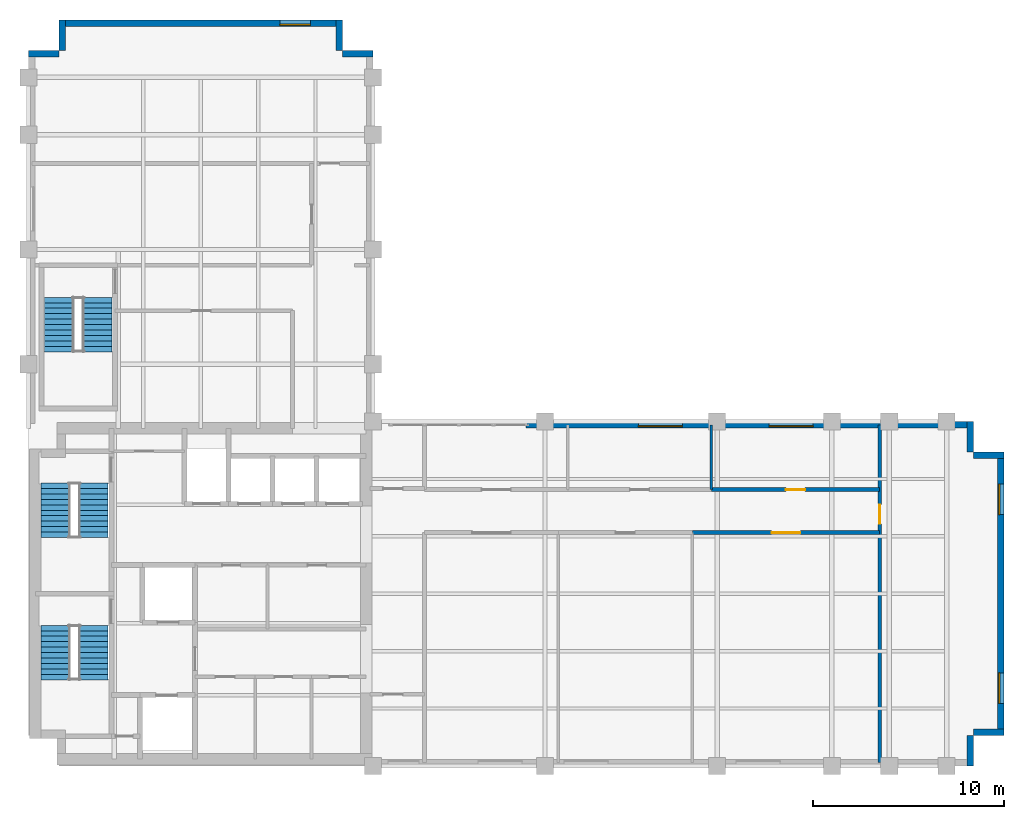
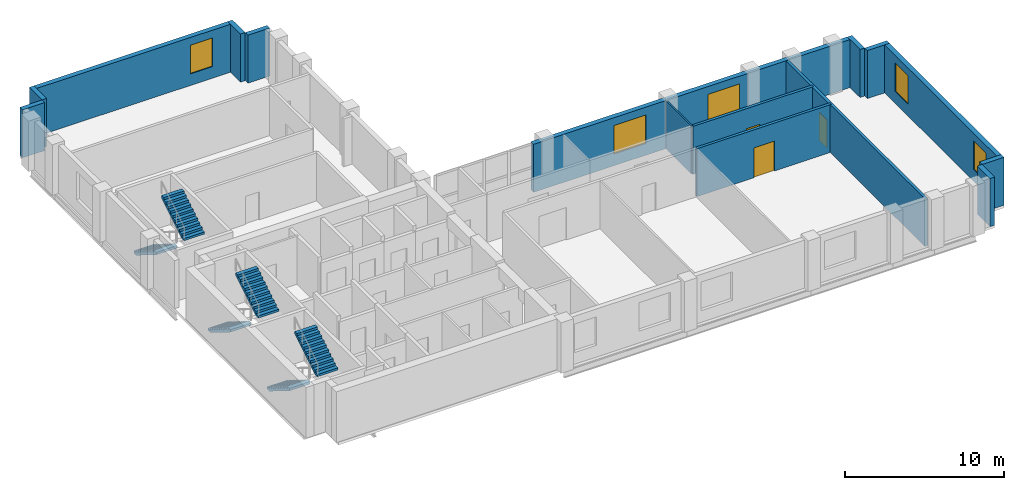
# One storey, part 6 of 7: 15 walls, 6 stair flights, 5 windows, 3 doors, 8 openings, 3 elements without a shape of their own.
"""IFC4 building model written with IfcOpenShell, lengths in metres."""

from ifc_helpers import new_model, si_unit, direction, frame, frame_2d, origin, place, context, subcontext, project, spatial, polyline, rectangle, outline, extrude, material, layer, layer_set, type_object, element, fill, aggregate, save


model = new_model("IFC4")

# Units and contexts
model_context = context("Model", 3, precision=1e-05, world=origin(), true_north=direction((0.0, 1.0)))
body_context = subcontext(model_context, "Body", "Model", "MODEL_VIEW")
ifc_project = project(units=[si_unit("LENGTHUNIT", "METRE"), si_unit("AREAUNIT", "SQUARE_METRE"), si_unit("VOLUMEUNIT", "CUBIC_METRE"), si_unit("PLANEANGLEUNIT", "RADIAN"), si_unit("MASSUNIT", "GRAM", prefix="KILO")], contexts=[model_context])

# Site, building, storey
site_placement = place(None, origin())
site = spatial("IfcSite", under=ifc_project, at=site_placement, CompositionType="ELEMENT")
building_placement = place(site_placement, origin())
building = spatial("IfcBuilding", under=site, at=building_placement, Name="Mawjdan Bourse Tower", CompositionType="ELEMENT")
storey_placement = place(building_placement, frame((0.0, 0.0, 203.39990234375)))
storey = spatial("IfcBuildingStorey", under=building, at=storey_placement, Name="L49", CompositionType="ELEMENT", Elevation=203.39990234375)

# Walls
ifc_material_1 = material(Name="Brick Masonry Buff", Category="masonry")
ifc_layer_1 = layer(ifc_material_1, 0.340087890625)
ifc_layer_set_1 = layer_set([ifc_layer_1], Name="Brick Masonry Buff")
wall_type_1 = type_object("IfcWallType", Name="WL-BRK-SPN-340", PredefinedType="STANDARD", material=ifc_layer_set_1)
for number, where, z_axis, x_axis, name in (
    (1, (55.22998046875, 3.0, 0.0), (0.0, 0.0, 1.0), (0.0, 1.0, 0.0), "L49 Exterior Brick Wall 2"),
    (2, (55.39990234375, 4.77001953125, 0.0), (0.0, 0.0, 1.0), (1.0, 0.0, 0.0), "L49 Exterior Brick Wall 3"),
):
    element("IfcWall", number, at=place(storey_placement, frame(where, z_axis=z_axis, x_axis=x_axis)), inside=storey, type_object=wall_type_1, Name=name, PredefinedType="STANDARD", context=body_context, shape_type="SweptSolid", body=[
        extrude(rectangle(XDim=1.60009765625, YDim=0.340087890625, at=frame_2d((0.800048828125, 0.0))), origin(), (0.0, 0.0, 1.0), 3.7001953125),
    ])

# Wall, openings, windows
wall_1_placement = place(storey_placement, frame((56.830078125, 4.60009765625, 0.0), z_axis=(0.0, 0.0, 1.0), x_axis=(0.0, 1.0, 0.0)))
wall_1 = element("IfcWall", 3, at=wall_1_placement, inside=storey, type_object=wall_type_1, Name="L49 Exterior Brick Wall 4", PredefinedType="STANDARD", context=body_context, shape_type="SweptSolid", body=[
    extrude(rectangle(XDim=14.7998046875, YDim=0.340087890625, at=frame_2d((7.39990234375, 0.0))), origin(), (0.0, 0.0, 1.0), 3.7001953125),
])
opening_1_placement = place(wall_1_placement, frame((1.666748046875, 0.0, 0.89990234375)))
opening_1 = element("IfcOpeningElement", 4, at=opening_1_placement, cuts=wall_1, Name="Opening W-L49-04", PredefinedType="OPENING", context=body_context, shape_type="SweptSolid", body=[
    extrude(rectangle(XDim=1.60009765625, YDim=2.199951171875, at=frame_2d((0.800048828125, 1.10009765625))), frame((0.0, 0.18017578125, 0.0), z_axis=(0.0, -1.0, 0.0), x_axis=(1.0, 0.0, 0.0)), (0.0, 0.0, 1.0), 0.360107421875),
])
opening_2_placement = place(wall_1_placement, frame((11.533203125, 0.0, 0.89990234375)))
opening_2 = element("IfcOpeningElement", 5, at=opening_2_placement, cuts=wall_1, Name="Opening W-L49-05", PredefinedType="OPENING", context=body_context, shape_type="SweptSolid", body=[
    extrude(rectangle(XDim=1.60009765625, YDim=2.199951171875, at=frame_2d((0.800048828125, 1.10009765625))), frame((0.0, 0.18017578125, 0.0), z_axis=(0.0, -1.0, 0.0), x_axis=(1.0, 0.0, 0.0)), (0.0, 0.0, 1.0), 0.360107421875),
])
ifc_material_2 = material(Name="Solar-Control Clear Double Glazing", Category="glass")
window_type_1 = type_object("IfcWindowType", Name="WN-Z3-1600", PartitioningType="SINGLE_PANEL", PredefinedType="WINDOW", material=ifc_material_2)
window_1_placement = place(opening_1_placement, origin())
window_1 = element("IfcWindow", 6, at=window_1_placement, inside=storey, type_object=window_type_1, Name="L49 Deep-Set Masonry Window W-L49-04", OverallHeight=2.199951171875, OverallWidth=1.60009765625, PartitioningType="SINGLE_PANEL", PredefinedType="WINDOW", context=body_context, shape_type="SweptSolid", body=[
    extrude(rectangle(XDim=1.60009765625, YDim=2.199951171875, at=frame_2d((0.800048828125, 1.10009765625))), frame((0.0, 0.110107421875, 0.0), z_axis=(0.0, -1.0, 0.0), x_axis=(1.0, 0.0, 0.0)), (0.0, 0.0, 1.0), 0.06005859375),
])
fill(opening_1, window_1)
window_2_placement = place(opening_2_placement, origin())
window_2 = element("IfcWindow", 7, at=window_2_placement, inside=storey, type_object=window_type_1, Name="L49 Deep-Set Masonry Window W-L49-05", OverallHeight=2.199951171875, OverallWidth=1.60009765625, PartitioningType="SINGLE_PANEL", PredefinedType="WINDOW", context=body_context, shape_type="SweptSolid", body=[
    extrude(rectangle(XDim=1.60009765625, YDim=2.199951171875, at=frame_2d((0.800048828125, 1.10009765625))), frame((0.0, 0.110107421875, 0.0), z_axis=(0.0, -1.0, 0.0), x_axis=(1.0, 0.0, 0.0)), (0.0, 0.0, 1.0), 0.06005859375),
])
fill(opening_2, window_2)

# Walls
for number, where, z_axis, x_axis, name in (
    (8, (57.0, 19.22998046875, 0.0), (0.0, 0.0, 1.0), (-1.0, 0.0, 0.0), "L49 Exterior Brick Wall 5"),
    (9, (55.22998046875, 19.39990234375, 0.0), (0.0, 0.0, 1.0), (0.0, 1.0, 0.0), "L49 Exterior Brick Wall 6"),
):
    element("IfcWall", number, at=place(storey_placement, frame(where, z_axis=z_axis, x_axis=x_axis)), inside=storey, type_object=wall_type_1, Name=name, PredefinedType="STANDARD", context=body_context, shape_type="SweptSolid", body=[
        extrude(rectangle(XDim=1.60009765625, YDim=0.340087890625, at=frame_2d((0.800048828125, 0.0))), origin(), (0.0, 0.0, 1.0), 3.7001953125),
    ])

# Wall, openings, windows
wall_2_placement = place(storey_placement, frame((55.39990234375, 20.830078125, 0.0), z_axis=(0.0, 0.0, 1.0), x_axis=(-1.0, 0.0, 0.0)))
wall_2 = element("IfcWall", 10, at=wall_2_placement, inside=storey, type_object=wall_type_1, Name="L49 Exterior Brick Wall 7A", PredefinedType="STANDARD", context=body_context, shape_type="SweptSolid", body=[
    extrude(rectangle(XDim=23.3798828125, YDim=0.340087890625, at=frame_2d((11.68994140625, 0.0))), origin(), (0.0, 0.0, 1.0), 3.7001953125),
])
opening_3_placement = place(wall_2_placement, frame((15.216064453125, 0.0, 0.89990234375)))
opening_3 = element("IfcOpeningElement", 11, at=opening_3_placement, cuts=wall_2, Name="Opening W-L49-06", PredefinedType="OPENING", context=body_context, shape_type="SweptSolid", body=[
    extrude(rectangle(XDim=2.300048828125, YDim=2.199951171875, at=frame_2d((1.14990234375, 1.10009765625))), frame((0.0, 0.18017578125, 0.0), z_axis=(0.0, -1.0, 0.0), x_axis=(1.0, 0.0, 0.0)), (0.0, 0.0, 1.0), 0.360107421875),
])
opening_4_placement = place(wall_2_placement, frame((8.374755859375, 0.0, 0.89990234375)))
opening_4 = element("IfcOpeningElement", 12, at=opening_4_placement, cuts=wall_2, Name="Opening W-L49-09", PredefinedType="OPENING", context=body_context, shape_type="SweptSolid", body=[
    extrude(rectangle(XDim=2.300048828125, YDim=2.199951171875, at=frame_2d((1.14990234375, 1.10009765625))), frame((0.0, 0.18017578125, 0.0), z_axis=(0.0, -1.0, 0.0), x_axis=(1.0, 0.0, 0.0)), (0.0, 0.0, 1.0), 0.360107421875),
])
window_type_2 = type_object("IfcWindowType", Name="WN-Z3-2300", PartitioningType="SINGLE_PANEL", PredefinedType="WINDOW", material=ifc_material_2)
window_3_placement = place(opening_3_placement, origin())
window_3 = element("IfcWindow", 13, at=window_3_placement, inside=storey, type_object=window_type_2, Name="L49 Deep-Set Masonry Window W-L49-06", OverallHeight=2.199951171875, OverallWidth=2.300048828125, PartitioningType="SINGLE_PANEL", PredefinedType="WINDOW", context=body_context, shape_type="SweptSolid", body=[
    extrude(rectangle(XDim=2.300048828125, YDim=2.199951171875, at=frame_2d((1.14990234375, 1.10009765625))), frame((0.0, 0.110107421875, 0.0), z_axis=(0.0, -1.0, 0.0), x_axis=(1.0, 0.0, 0.0)), (0.0, 0.0, 1.0), 0.06005859375),
])
fill(opening_3, window_3)
window_4_placement = place(opening_4_placement, origin())
window_4 = element("IfcWindow", 14, at=window_4_placement, inside=storey, type_object=window_type_2, Name="L49 Deep-Set Masonry Window W-L49-09", OverallHeight=2.199951171875, OverallWidth=2.300048828125, PartitioningType="SINGLE_PANEL", PredefinedType="WINDOW", context=body_context, shape_type="SweptSolid", body=[
    extrude(rectangle(XDim=2.300048828125, YDim=2.199951171875, at=frame_2d((1.14990234375, 1.10009765625))), frame((0.0, 0.110107421875, 0.0), z_axis=(0.0, -1.0, 0.0), x_axis=(1.0, 0.0, 0.0)), (0.0, 0.0, 1.0), 0.06005859375),
])
fill(opening_4, window_4)

# Walls
for number, where, z_axis, x_axis, name in (
    (15, (24.0, 40.22998046875, 0.0), (0.0, 0.0, 1.0), (-1.0, 0.0, 0.0), "L49 Exterior Brick Wall 9"),
    (16, (22.22998046875, 40.39990234375, 0.0), (0.0, 0.0, 1.0), (0.0, 1.0, 0.0), "L49 Exterior Brick Wall 10"),
):
    element("IfcWall", number, at=place(storey_placement, frame(where, z_axis=z_axis, x_axis=x_axis)), inside=storey, type_object=wall_type_1, Name=name, PredefinedType="STANDARD", context=body_context, shape_type="SweptSolid", body=[
        extrude(rectangle(XDim=1.60009765625, YDim=0.340087890625, at=frame_2d((0.800048828125, 0.0))), origin(), (0.0, 0.0, 1.0), 3.7001953125),
    ])

# Wall, opening, window
wall_3_placement = place(storey_placement, frame((22.39990234375, 41.830078125, 0.0), z_axis=(0.0, 0.0, 1.0), x_axis=(-1.0, 0.0, 0.0)))
wall_3 = element("IfcWall", 17, at=wall_3_placement, inside=storey, type_object=wall_type_1, Name="L49 Exterior Brick Wall 11", PredefinedType="STANDARD", context=body_context, shape_type="SweptSolid", body=[
    extrude(rectangle(XDim=14.7998046875, YDim=0.340087890625, at=frame_2d((7.39990234375, 0.0))), origin(), (0.0, 0.0, 1.0), 3.7001953125),
])
opening_5_placement = place(wall_3_placement, frame((1.666748046875, 0.0, 0.89990234375)))
opening_5 = element("IfcOpeningElement", 18, at=opening_5_placement, cuts=wall_3, Name="Opening W-L49-07", PredefinedType="OPENING", context=body_context, shape_type="SweptSolid", body=[
    extrude(rectangle(XDim=1.60009765625, YDim=2.199951171875, at=frame_2d((0.800048828125, 1.10009765625))), frame((0.0, 0.18017578125, 0.0), z_axis=(0.0, -1.0, 0.0), x_axis=(1.0, 0.0, 0.0)), (0.0, 0.0, 1.0), 0.360107421875),
])
window_5_placement = place(opening_5_placement, origin())
window_5 = element("IfcWindow", 19, at=window_5_placement, inside=storey, type_object=window_type_1, Name="L49 Deep-Set Masonry Window W-L49-07", OverallHeight=2.199951171875, OverallWidth=1.60009765625, PartitioningType="SINGLE_PANEL", PredefinedType="WINDOW", context=body_context, shape_type="SweptSolid", body=[
    extrude(rectangle(XDim=1.60009765625, YDim=2.199951171875, at=frame_2d((0.800048828125, 1.10009765625))), frame((0.0, 0.110107421875, 0.0), z_axis=(0.0, -1.0, 0.0), x_axis=(1.0, 0.0, 0.0)), (0.0, 0.0, 1.0), 0.06005859375),
])
fill(opening_5, window_5)

# Walls
for number, where, z_axis, x_axis, name in (
    (20, (7.77001953125, 42.0, 0.0), (0.0, 0.0, 1.0), (0.0, -1.0, 0.0), "L49 Exterior Brick Wall 12"),
    (21, (7.60009765625, 40.22998046875, 0.0), (0.0, 0.0, 1.0), (-1.0, 0.0, 0.0), "L49 Exterior Brick Wall 13"),
):
    element("IfcWall", number, at=place(storey_placement, frame(where, z_axis=z_axis, x_axis=x_axis)), inside=storey, type_object=wall_type_1, Name=name, PredefinedType="STANDARD", context=body_context, shape_type="SweptSolid", body=[
        extrude(rectangle(XDim=1.60009765625, YDim=0.340087890625, at=frame_2d((0.800048828125, 0.0))), origin(), (0.0, 0.0, 1.0), 3.7001953125),
    ])

# Wall, opening, door
ifc_material_3 = material(Name="Gypsum Fireboard Assembly")
ifc_layer_2 = layer(ifc_material_3, 0.199951171875)
ifc_layer_set_2 = layer_set([ifc_layer_2], Name="Gypsum Fireboard Assembly")
wall_type_2 = type_object("IfcWallType", Name="WL-CMP-200", PredefinedType="PARTITIONING", material=ifc_layer_set_2)
wall_4_placement = place(storey_placement, frame((40.699951171875, 15.199951171875, 0.0), z_axis=(0.0, 0.0, 1.0), x_axis=(1.0, 0.0, 0.0)))
wall_4 = element("IfcWall", 22, at=wall_4_placement, inside=storey, type_object=wall_type_2, Name="L49 Conference Room Corridor Wall", PredefinedType="PARTITIONING", context=body_context, shape_type="SweptSolid", body=[
    extrude(rectangle(XDim=9.800048828125, YDim=0.199951171875, at=frame_2d((4.89990234375, 0.0))), origin(), (0.0, 0.0, 1.0), 3.690185546875),
])
opening_6_placement = place(wall_4_placement, frame((4.14990234375, 0.0, 0.0)))
opening_6 = element("IfcOpeningElement", 23, at=opening_6_placement, cuts=wall_4, Name="Opening D-L49-24", PredefinedType="OPENING", context=body_context, shape_type="SweptSolid", body=[
    extrude(rectangle(XDim=1.5, YDim=2.300048828125, at=frame_2d((0.75, 1.14990234375))), frame((0.0, 0.10986328125, 0.0), z_axis=(0.0, -1.0, 0.0), x_axis=(1.0, 0.0, 0.0)), (0.0, 0.0, 1.0), 0.219970703125),
])
ifc_material_4 = material(Name="Acoustic Glazed Timber", Category="wood")
door_type_1 = type_object("IfcDoorType", Name="DR-CNF-1500", OperationType="DOUBLE_DOOR_SINGLE_SWING", PredefinedType="DOOR", material=ifc_material_4)
door_1_placement = place(opening_6_placement, origin())
door_1 = element("IfcDoor", 24, at=door_1_placement, inside=storey, type_object=door_type_1, Name="L49 Conference Room Door D-L49-24", OperationType="DOUBLE_DOOR_SINGLE_SWING", OverallHeight=2.300048828125, OverallWidth=1.5, PredefinedType="DOOR", context=body_context, shape_type="SweptSolid", body=[
    extrude(rectangle(XDim=1.5, YDim=2.300048828125, at=frame_2d((0.75, 1.14990234375))), frame((0.0, 0.02490234375, 0.0), z_axis=(0.0, -1.0, 0.0), x_axis=(1.0, 0.0, 0.0)), (0.0, 0.0, 1.0), 0.050048828125),
])
fill(opening_6, door_1)

wall_5_placement = place(storey_placement, frame((41.699951171875, 17.449951171875, 0.0), z_axis=(0.0, 0.0, 1.0), x_axis=(1.0, 0.0, 0.0)))
wall_5 = element("IfcWall", 25, at=wall_5_placement, inside=storey, type_object=wall_type_2, Name="L49 Document Store Corridor Wall", PredefinedType="PARTITIONING", context=body_context, shape_type="SweptSolid", body=[
    extrude(rectangle(XDim=8.800048828125, YDim=0.199951171875, at=frame_2d((4.39990234375, 0.0))), origin(), (0.0, 0.0, 1.0), 3.690185546875),
])
opening_7_placement = place(wall_5_placement, frame((3.89990234375, 0.0, 0.0)))
opening_7 = element("IfcOpeningElement", 26, at=opening_7_placement, cuts=wall_5, Name="Opening D-L49-27", PredefinedType="OPENING", context=body_context, shape_type="SweptSolid", body=[
    extrude(rectangle(XDim=1.0, YDim=2.14990234375, at=frame_2d((0.5, 1.074951171875))), frame((0.0, 0.10986328125, 0.0), z_axis=(0.0, -1.0, 0.0), x_axis=(1.0, 0.0, 0.0)), (0.0, 0.0, 1.0), 0.219970703125),
])
ifc_material_5 = material(Name="Hardwood Acoustic Leaf", Category="wood")
door_type_2 = type_object("IfcDoorType", Name="DR-OFC-1000", OperationType="NOTDEFINED", PredefinedType="DOOR", material=ifc_material_5)
door_2_placement = place(opening_7_placement, origin())
door_2 = element("IfcDoor", 27, at=door_2_placement, inside=storey, type_object=door_type_2, Name="L49 Document Store Door D-L49-27", OperationType="SINGLE_SWING_LEFT", OverallHeight=2.14990234375, OverallWidth=1.0, PredefinedType="DOOR", context=body_context, shape_type="SweptSolid", body=[
    extrude(rectangle(XDim=1.0, YDim=2.14990234375, at=frame_2d((0.5, 1.074951171875))), frame((0.0, 0.02490234375, 0.0), z_axis=(0.0, -1.0, 0.0), x_axis=(1.0, 0.0, 0.0)), (0.0, 0.0, 1.0), 0.050048828125),
])
fill(opening_7, door_2)

wall_6_placement = place(storey_placement, frame((50.5, 3.179931640625, 0.0), z_axis=(0.0, 0.0, 1.0), x_axis=(0.0, 1.0, 0.0)))
wall_6 = element("IfcWall", 28, at=wall_6_placement, inside=storey, type_object=wall_type_2, Name="L49 East Tip Full Cross Wall", PredefinedType="PARTITIONING", context=body_context, shape_type="SweptSolid", body=[
    extrude(rectangle(XDim=17.64013671875, YDim=0.199951171875, at=frame_2d((8.820068359375, 0.0))), origin(), (0.0, 0.0, 1.0), 3.690185546875),
])
opening_8_placement = place(wall_6_placement, frame((12.47509765625, 0.0, 0.0)))
opening_8 = element("IfcOpeningElement", 29, at=opening_8_placement, cuts=wall_6, Name="Opening D-L49-28", PredefinedType="OPENING", context=body_context, shape_type="SweptSolid", body=[
    extrude(rectangle(XDim=1.0, YDim=2.14990234375, at=frame_2d((0.5, 1.074951171875))), frame((0.0, 0.10986328125, 0.0), z_axis=(0.0, -1.0, 0.0), x_axis=(1.0, 0.0, 0.0)), (0.0, 0.0, 1.0), 0.219970703125),
])
door_3_placement = place(opening_8_placement, origin())
door_3 = element("IfcDoor", 30, at=door_3_placement, inside=storey, type_object=door_type_2, Name="L49 East Tip Hall Door D-L49-28", OperationType="SINGLE_SWING_RIGHT", OverallHeight=2.14990234375, OverallWidth=1.0, PredefinedType="DOOR", context=body_context, shape_type="SweptSolid", body=[
    extrude(rectangle(XDim=1.0, YDim=2.14990234375, at=frame_2d((0.5, 1.074951171875))), frame((0.0, 0.02490234375, 0.0), z_axis=(0.0, -1.0, 0.0), x_axis=(1.0, 0.0, 0.0)), (0.0, 0.0, 1.0), 0.050048828125),
])
fill(opening_8, door_3)

# Wall
ifc_material_6 = material(Name="Gypsum Partition")
ifc_layer_3 = layer(ifc_material_6, 0.125)
ifc_layer_set_3 = layer_set([ifc_layer_3], Name="Gypsum Partition")
wall_type_3 = type_object("IfcWallType", Name="WL-PRT-125", PredefinedType="PARTITIONING", material=ifc_layer_set_3)
wall_7_placement = place(storey_placement, frame((41.699951171875, 17.449951171875, 0.0), z_axis=(0.0, 0.0, 1.0), x_axis=(0.0, 1.0, 0.0)))
element("IfcWall", 31, at=wall_7_placement, inside=storey, type_object=wall_type_3, Name="L49 Document Store Partition", PredefinedType="PARTITIONING", context=body_context, shape_type="SweptSolid", body=[
    extrude(rectangle(XDim=3.3701171875, YDim=0.125, at=frame_2d((1.68505859375, 0.0))), origin(), (0.0, 0.0, 1.0), 3.690185546875),
])

# Stair, stair flights
ifc_material_7 = material(Name="Concrete C50/60", Category="concrete")
stair_type = type_object("IfcStairType", Name="STR-CORE-1500", PredefinedType="HALF_TURN_STAIR", material=ifc_material_7)
stair_1_placement = place(storey_placement, origin())
stair_1 = element("IfcStair", 32, at=stair_1_placement, inside=storey, type_object=stair_type, Name="L49 Exit Stair 1 (Core South-West)", PredefinedType="HALF_TURN_STAIR")
stair_flight_type = type_object("IfcStairFlightType", Name="SFL-RC-1500", PredefinedType="STRAIGHT", material=ifc_material_7)
stair_flight_1_placement = place(storey_placement, frame((7.389892578125, 10.35009765625, 0.0), z_axis=(0.0, 0.0, 1.0), x_axis=(0.0, -1.0, 0.0)))
stair_flight_1 = element("IfcStairFlight", 33, at=stair_flight_1_placement, type_object=stair_flight_type, Name="ST1-L49 flight 1", NumberOfRisers=11, NumberOfTreads=10, PredefinedType="STRAIGHT", RiserHeight=0.177273, TreadLength=0.285, context=body_context, shape_type="SweptSolid", body=[
    extrude(outline(polyline([(0.0, 0.0), (0.0, 0.17724609375), (0.284912109375, 0.17724609375), (0.284912109375, 0.3544921875), (0.570068359375, 0.3544921875), (0.570068359375, 0.53173828125), (0.85498046875, 0.53173828125), (0.85498046875, 0.708984375), (1.139892578125, 0.708984375), (1.139892578125, 0.886474609375), (1.425048828125, 0.886474609375), (1.425048828125, 1.063720703125), (1.7099609375, 1.063720703125), (1.7099609375, 1.240966796875), (1.9951171875, 1.240966796875), (1.9951171875, 1.418212890625), (2.280029296875, 1.418212890625), (2.280029296875, 1.595458984375), (2.56494140625, 1.595458984375), (2.56494140625, 1.772705078125), (2.85009765625, 1.772705078125), (2.85009765625, 1.949951171875), (2.85009765625, 1.58447265625), (0.302734375, 0.0), (0.0, 0.0)])), frame((0.0, 0.75, 0.0), z_axis=(0.0, -1.0, 0.0), x_axis=(1.0, 0.0, 0.0)), (0.0, 0.0, 1.0), 1.5),
])
stair_flight_2_placement = place(storey_placement, frame((9.409912109375, 7.5, 1.9501953125), z_axis=(0.0, 0.0, 1.0), x_axis=(0.0, 1.0, 0.0)))
stair_flight_2 = element("IfcStairFlight", 34, at=stair_flight_2_placement, type_object=stair_flight_type, Name="ST1-L49 flight 2", NumberOfRisers=11, NumberOfTreads=10, PredefinedType="STRAIGHT", RiserHeight=0.177273, TreadLength=0.285, context=body_context, shape_type="SweptSolid", body=[
    extrude(outline(polyline([(0.0, 0.0), (0.0, 0.17724609375), (0.284912109375, 0.17724609375), (0.284912109375, 0.3544921875), (0.570068359375, 0.3544921875), (0.570068359375, 0.53173828125), (0.85498046875, 0.53173828125), (0.85498046875, 0.708984375), (1.139892578125, 0.708984375), (1.139892578125, 0.886474609375), (1.425048828125, 0.886474609375), (1.425048828125, 1.063720703125), (1.7099609375, 1.063720703125), (1.7099609375, 1.240966796875), (1.9951171875, 1.240966796875), (1.9951171875, 1.418212890625), (2.280029296875, 1.418212890625), (2.280029296875, 1.595458984375), (2.56494140625, 1.595458984375), (2.56494140625, 1.772705078125), (2.85009765625, 1.772705078125), (2.85009765625, 1.949951171875), (2.85009765625, 1.58447265625), (0.302734375, 0.0), (0.0, 0.0)])), frame((0.0, 0.75, 0.0), z_axis=(0.0, -1.0, 0.0), x_axis=(1.0, 0.0, 0.0)), (0.0, 0.0, 1.0), 1.5),
])
aggregate(stair_1, [stair_flight_1, stair_flight_2])

stair_2_placement = place(storey_placement, origin())
stair_2 = element("IfcStair", 35, at=stair_2_placement, inside=storey, type_object=stair_type, Name="L49 Exit Stair 2 (Core North-West)", PredefinedType="HALF_TURN_STAIR")
stair_flight_3_placement = place(storey_placement, frame((7.389892578125, 17.7900390625, 0.0), z_axis=(0.0, 0.0, 1.0), x_axis=(0.0, -1.0, 0.0)))
stair_flight_3 = element("IfcStairFlight", 36, at=stair_flight_3_placement, type_object=stair_flight_type, Name="ST2-L49 flight 1", NumberOfRisers=11, NumberOfTreads=10, PredefinedType="STRAIGHT", RiserHeight=0.177273, TreadLength=0.285, context=body_context, shape_type="SweptSolid", body=[
    extrude(outline(polyline([(0.0, 0.0), (0.0, 0.17724609375), (0.284912109375, 0.17724609375), (0.284912109375, 0.3544921875), (0.570068359375, 0.3544921875), (0.570068359375, 0.53173828125), (0.85498046875, 0.53173828125), (0.85498046875, 0.708984375), (1.139892578125, 0.708984375), (1.139892578125, 0.886474609375), (1.425048828125, 0.886474609375), (1.425048828125, 1.063720703125), (1.7099609375, 1.063720703125), (1.7099609375, 1.240966796875), (1.9951171875, 1.240966796875), (1.9951171875, 1.418212890625), (2.280029296875, 1.418212890625), (2.280029296875, 1.595458984375), (2.56494140625, 1.595458984375), (2.56494140625, 1.772705078125), (2.85009765625, 1.772705078125), (2.85009765625, 1.949951171875), (2.85009765625, 1.58447265625), (0.302734375, 0.0), (0.0, 0.0)])), frame((0.0, 0.75, 0.0), z_axis=(0.0, -1.0, 0.0), x_axis=(1.0, 0.0, 0.0)), (0.0, 0.0, 1.0), 1.5),
])
stair_flight_4_placement = place(storey_placement, frame((9.409912109375, 14.93994140625, 1.9501953125), z_axis=(0.0, 0.0, 1.0), x_axis=(0.0, 1.0, 0.0)))
stair_flight_4 = element("IfcStairFlight", 37, at=stair_flight_4_placement, type_object=stair_flight_type, Name="ST2-L49 flight 2", NumberOfRisers=11, NumberOfTreads=10, PredefinedType="STRAIGHT", RiserHeight=0.177273, TreadLength=0.285, context=body_context, shape_type="SweptSolid", body=[
    extrude(outline(polyline([(0.0, 0.0), (0.0, 0.17724609375), (0.284912109375, 0.17724609375), (0.284912109375, 0.3544921875), (0.570068359375, 0.3544921875), (0.570068359375, 0.53173828125), (0.85498046875, 0.53173828125), (0.85498046875, 0.708984375), (1.139892578125, 0.708984375), (1.139892578125, 0.886474609375), (1.425048828125, 0.886474609375), (1.425048828125, 1.063720703125), (1.7099609375, 1.063720703125), (1.7099609375, 1.240966796875), (1.9951171875, 1.240966796875), (1.9951171875, 1.418212890625), (2.280029296875, 1.418212890625), (2.280029296875, 1.595458984375), (2.56494140625, 1.595458984375), (2.56494140625, 1.772705078125), (2.85009765625, 1.772705078125), (2.85009765625, 1.949951171875), (2.85009765625, 1.58447265625), (0.302734375, 0.0), (0.0, 0.0)])), frame((0.0, 0.75, 0.0), z_axis=(0.0, -1.0, 0.0), x_axis=(1.0, 0.0, 0.0)), (0.0, 0.0, 1.0), 1.5),
])
aggregate(stair_2, [stair_flight_3, stair_flight_4])

stair_3_placement = place(storey_placement, origin())
stair_3 = element("IfcStair", 38, at=stair_3_placement, inside=storey, type_object=stair_type, Name="L49 Exit Stair 3 (North Wing)", PredefinedType="HALF_TURN_STAIR")
stair_flight_5_placement = place(storey_placement, frame((7.590087890625, 27.5, 0.0), z_axis=(0.0, 0.0, 1.0), x_axis=(0.0, -1.0, 0.0)))
stair_flight_5 = element("IfcStairFlight", 39, at=stair_flight_5_placement, type_object=stair_flight_type, Name="ST3-L49 flight 1", NumberOfRisers=11, NumberOfTreads=10, PredefinedType="STRAIGHT", RiserHeight=0.177273, TreadLength=0.285, context=body_context, shape_type="SweptSolid", body=[
    extrude(outline(polyline([(0.0, 0.0), (0.0, 0.17724609375), (0.284912109375, 0.17724609375), (0.284912109375, 0.3544921875), (0.570068359375, 0.3544921875), (0.570068359375, 0.53173828125), (0.85498046875, 0.53173828125), (0.85498046875, 0.708984375), (1.139892578125, 0.708984375), (1.139892578125, 0.886474609375), (1.425048828125, 0.886474609375), (1.425048828125, 1.063720703125), (1.7099609375, 1.063720703125), (1.7099609375, 1.240966796875), (1.9951171875, 1.240966796875), (1.9951171875, 1.418212890625), (2.280029296875, 1.418212890625), (2.280029296875, 1.595458984375), (2.56494140625, 1.595458984375), (2.56494140625, 1.772705078125), (2.85009765625, 1.772705078125), (2.85009765625, 1.949951171875), (2.85009765625, 1.58447265625), (0.302734375, 0.0), (0.0, 0.0)])), frame((0.0, 0.75, 0.0), z_axis=(0.0, -1.0, 0.0), x_axis=(1.0, 0.0, 0.0)), (0.0, 0.0, 1.0), 1.5),
])
stair_flight_6_placement = place(storey_placement, frame((9.610107421875, 24.64990234375, 1.9501953125), z_axis=(0.0, 0.0, 1.0), x_axis=(0.0, 1.0, 0.0)))
stair_flight_6 = element("IfcStairFlight", 40, at=stair_flight_6_placement, type_object=stair_flight_type, Name="ST3-L49 flight 2", NumberOfRisers=11, NumberOfTreads=10, PredefinedType="STRAIGHT", RiserHeight=0.177273, TreadLength=0.285, context=body_context, shape_type="SweptSolid", body=[
    extrude(outline(polyline([(0.0, 0.0), (0.0, 0.17724609375), (0.284912109375, 0.17724609375), (0.284912109375, 0.3544921875), (0.570068359375, 0.3544921875), (0.570068359375, 0.53173828125), (0.85498046875, 0.53173828125), (0.85498046875, 0.708984375), (1.139892578125, 0.708984375), (1.139892578125, 0.886474609375), (1.425048828125, 0.886474609375), (1.425048828125, 1.063720703125), (1.7099609375, 1.063720703125), (1.7099609375, 1.240966796875), (1.9951171875, 1.240966796875), (1.9951171875, 1.418212890625), (2.280029296875, 1.418212890625), (2.280029296875, 1.595458984375), (2.56494140625, 1.595458984375), (2.56494140625, 1.772705078125), (2.85009765625, 1.772705078125), (2.85009765625, 1.949951171875), (2.85009765625, 1.58447265625), (0.302734375, 0.0), (0.0, 0.0)])), frame((0.0, 0.75, 0.0), z_axis=(0.0, -1.0, 0.0), x_axis=(1.0, 0.0, 0.0)), (0.0, 0.0, 1.0), 1.5),
])
aggregate(stair_3, [stair_flight_5, stair_flight_6])

save(model, "model.ifc")
